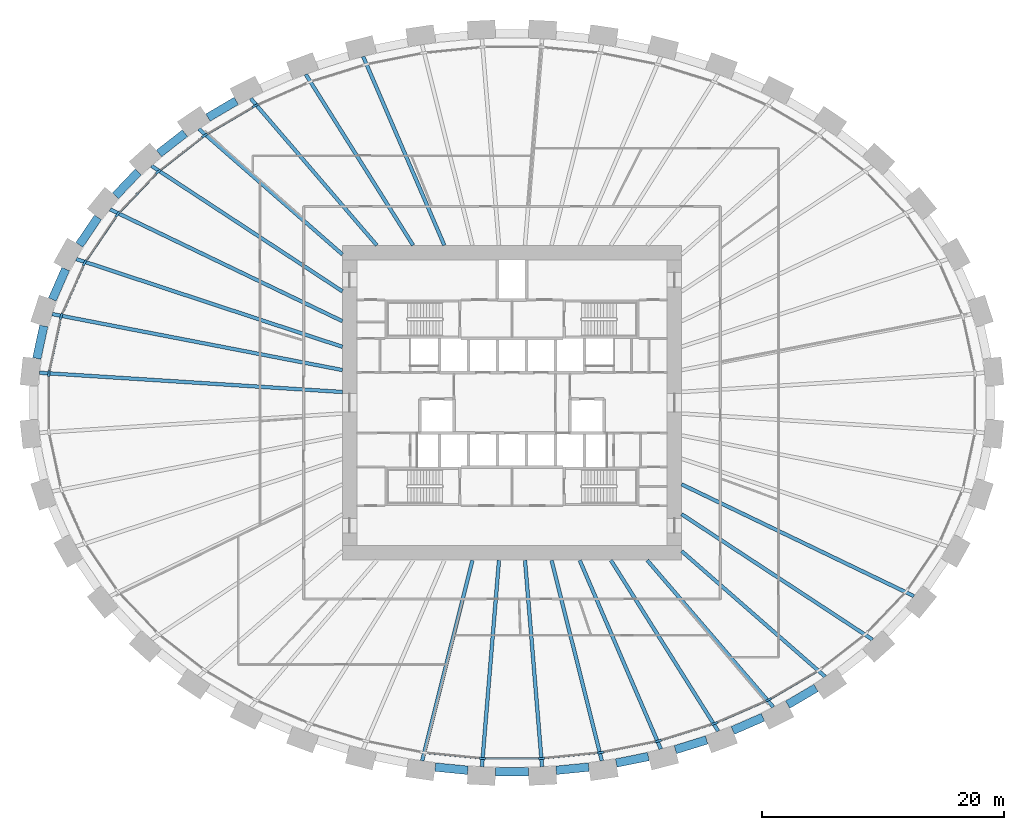
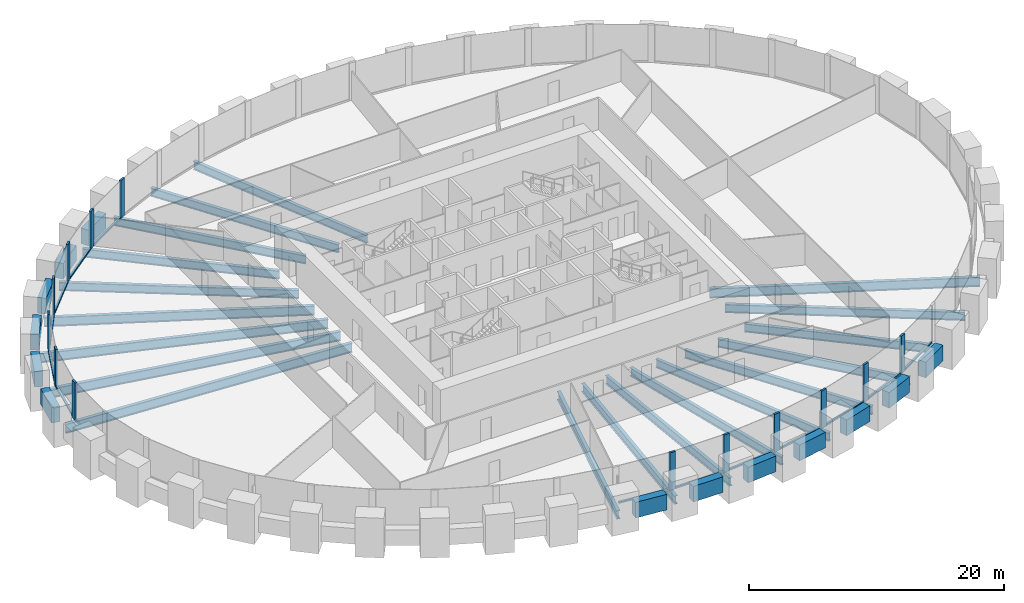
# One storey, part 2 of 10: 32 beams, 26 members, 1 element without a shape of its own.
"""IFC4 building model written with IfcOpenShell, lengths in metres."""

from ifc_helpers import new_model, si_unit, direction, frame, origin, origin_2d, place, context, subcontext, project, spatial, rectangle, i_section, extrude, source, transform, mapped, material, material_profile, profile_set, type_object, element, aggregate, save


model = new_model("IFC4")

# Units and contexts
model_context = context("Model", 3, precision=1e-05, world=origin(), true_north=direction((0.0, 1.0)))
body_context = subcontext(model_context, "Body", "Model", "MODEL_VIEW")
ifc_project = project(units=[si_unit("LENGTHUNIT", "METRE"), si_unit("AREAUNIT", "SQUARE_METRE"), si_unit("VOLUMEUNIT", "CUBIC_METRE"), si_unit("PLANEANGLEUNIT", "RADIAN"), si_unit("MASSUNIT", "GRAM", prefix="KILO")], contexts=[model_context])

# Site, building, storey
site_placement = place(None, origin())
site = spatial("IfcSite", under=ifc_project, at=site_placement, CompositionType="ELEMENT")
building_placement = place(site_placement, origin())
building = spatial("IfcBuilding", under=site, at=building_placement, Name="Embergate Tower", CompositionType="ELEMENT")
storey_placement = place(building_placement, frame((0.0, 0.0, 121.10009765625)))
storey = spatial("IfcBuildingStorey", under=building, at=storey_placement, Name="L26", CompositionType="ELEMENT", Elevation=121.10009765625)

# Beams
ifc_material_1 = material(Name="Concrete C70", Category="concrete")
ifc_material_profile_1 = material_profile(ifc_material_1, rectangle(XDim=0.699951171875, YDim=1.5, at=origin_2d()), Name="RC 700x1500")
ifc_profile_set_1 = profile_set([ifc_material_profile_1], Name="Concrete C70")
beam_type_1 = type_object("IfcBeamType", Name="Spandrel beam RC 700x1500 C70", PredefinedType="BEAM", material=ifc_profile_set_1)
shared_shape_1 = source(origin(), body_context, "Body", "SweptSolid", [
    extrude(rectangle(XDim=0.699951171875, YDim=1.5, at=origin_2d()), origin(), (0.0, 0.0, 1.0), 2.741455078125),
])
beam_1_placement = place(storey_placement, frame((-38.64794921875, 6.337890625, 0.0), z_axis=(-0.210532507107, -0.977586857241, 0.0), x_axis=(0.977586857241, -0.210532507107, 0.0)))
element("IfcBeam", 1, at=beam_1_placement, inside=storey, type_object=beam_type_1, Name="SPN-L26-20", PredefinedType="BEAM", context=body_context, shape_type="MappedRepresentation", body=[
    mapped(shared_shape_1, transform((0.0, 0.0, 0.0))),
])
shared_shape_2 = source(origin(), body_context, "Body", "SweptSolid", [
    extrude(rectangle(XDim=0.699951171875, YDim=1.5, at=origin_2d()), origin(), (0.0, 0.0, 1.0), 2.73779296875),
])
beam_2_placement = place(storey_placement, frame((-36.841064453125, 11.032958984375, 0.0), z_axis=(-0.401740219387, -0.915753676556, 0.0), x_axis=(0.915753676556, -0.401740219387, 0.0)))
element("IfcBeam", 2, at=beam_2_placement, inside=storey, type_object=beam_type_1, Name="SPN-L26-19", PredefinedType="BEAM", context=body_context, shape_type="MappedRepresentation", body=[
    mapped(shared_shape_2, transform((0.0, 0.0, 0.0))),
])
shared_shape_3 = source(origin(), body_context, "Body", "SweptSolid", [
    extrude(rectangle(XDim=0.699951171875, YDim=1.5, at=origin_2d()), origin(), (0.0, 0.0, 1.0), 2.727294921875),
])
beam_3_placement = place(storey_placement, frame((-34.176025390625, 15.291015625, 0.0), z_axis=(-0.562422644454, -0.826849907181, 0.0), x_axis=(0.826849907181, -0.562422644454, 0.0)))
element("IfcBeam", 3, at=beam_3_placement, inside=storey, type_object=beam_type_1, Name="SPN-L26-18", PredefinedType="BEAM", context=body_context, shape_type="MappedRepresentation", body=[
    mapped(shared_shape_3, transform((0.0, 0.0, 0.0))),
])
shared_shape_4 = source(origin(), body_context, "Body", "SweptSolid", [
    extrude(rectangle(XDim=0.699951171875, YDim=1.5, at=origin_2d()), origin(), (0.0, 0.0, 1.0), 2.720947265625),
])
beam_4_placement = place(storey_placement, frame((-30.85302734375, 19.050048828125, 0.0), z_axis=(-0.690174788546, -0.723642702759, 0.0), x_axis=(0.723642702759, -0.690174788546, 0.0)))
element("IfcBeam", 4, at=beam_4_placement, inside=storey, type_object=beam_type_1, Name="SPN-L26-17", PredefinedType="BEAM", context=body_context, shape_type="MappedRepresentation", body=[
    mapped(shared_shape_4, transform((0.0, 0.0, 0.0))),
])
shared_shape_5 = source(origin(), body_context, "Body", "SweptSolid", [
    extrude(rectangle(XDim=0.699951171875, YDim=1.5, at=origin_2d()), origin(), (0.0, 0.0, 1.0), 2.715087890625),
])
beam_5_placement = place(storey_placement, frame((-26.9951171875, 22.25, 0.0), z_axis=(-0.788183854673, -0.61543985184, 0.0), x_axis=(0.61543985184, -0.788183854673, 0.0)))
element("IfcBeam", 5, at=beam_5_placement, inside=storey, type_object=beam_type_1, Name="SPN-L26-16", PredefinedType="BEAM", context=body_context, shape_type="MappedRepresentation", body=[
    mapped(shared_shape_5, transform((0.0, 0.0, 0.0))),
])
shared_shape_6 = source(origin(), body_context, "Body", "SweptSolid", [
    extrude(rectangle(XDim=0.699951171875, YDim=1.5, at=origin_2d()), origin(), (0.0, 0.0, 1.0), 2.70947265625),
])
for number, where, z_axis, x_axis, name in (
    (6, (-22.757080078125, 24.916015625, 0.0), (-0.862100939268, -0.506736588884, 0.0), (0.506736588884, -0.862100939268, 0.0), "SPN-L26-15"),
    (7, (22.757080078125, -24.916015625, 0.0), (0.862100939268, 0.506736588884, 0.0), (-0.506736588884, 0.862100939268, 0.0), "SPN-L26-37"),
):
    element("IfcBeam", number, at=place(storey_placement, frame(where, z_axis=z_axis, x_axis=x_axis)), inside=storey, type_object=beam_type_1, Name=name, PredefinedType="BEAM", context=body_context, shape_type="MappedRepresentation", body=[
        mapped(shared_shape_6, transform((0.0, 0.0, 0.0))),
    ])
shared_shape_7 = source(origin(), body_context, "Body", "SweptSolid", [
    extrude(rectangle(XDim=0.699951171875, YDim=1.5, at=origin_2d()), origin(), (0.0, 0.0, 1.0), 2.70751953125),
])
beam_6_placement = place(storey_placement, frame((18.22705078125, -27.0458984375, 0.0), z_axis=(0.91635176707, 0.400374123774, 0.0), x_axis=(-0.400374123774, 0.91635176707, 0.0)))
element("IfcBeam", 8, at=beam_6_placement, inside=storey, type_object=beam_type_1, Name="SPN-L26-36", PredefinedType="BEAM", context=body_context, shape_type="MappedRepresentation", body=[
    mapped(shared_shape_7, transform((0.0, 0.0, 0.0))),
])
shared_shape_8 = source(origin(), body_context, "Body", "SweptSolid", [
    extrude(rectangle(XDim=0.699951171875, YDim=1.5, at=origin_2d()), origin(), (0.0, 0.0, 1.0), 2.701171875),
])
for number, where, z_axis, x_axis, name in (
    (9, (8.60888671875, -29.735107421875, 0.0), (0.980395998514, 0.197037270836, 0.0), (-0.197037270836, 0.980395998514, 0.0), "SPN-L26-34"),
    (10, (13.486083984375, -28.635009765625, 0.0), (0.954683993788, 0.297621356768, 0.0), (-0.297621356768, 0.954683993788, 0.0), "SPN-L26-35"),
):
    element("IfcBeam", number, at=place(storey_placement, frame(where, z_axis=z_axis, x_axis=x_axis)), inside=storey, type_object=beam_type_1, Name=name, PredefinedType="BEAM", context=body_context, shape_type="MappedRepresentation", body=[
        mapped(shared_shape_8, transform((0.0, 0.0, 0.0))),
    ])
shared_shape_9 = source(origin(), body_context, "Body", "SweptSolid", [
    extrude(rectangle(XDim=0.699951171875, YDim=1.5, at=origin_2d()), origin(), (0.0, 0.0, 1.0), 2.699951171875),
])
for number, where, z_axis, x_axis, name in (
    (11, (-6.333984375, -30.073974609375, 0.0), (0.995211120004, -0.097748793451, 0.0), (0.097748793451, 0.995211120004, 0.0), "SPN-L26-31"),
    (12, (3.64697265625, -30.337890625, 0.0), (0.995211120004, 0.097748793451, 0.0), (-0.097748793451, 0.995211120004, 0.0), "SPN-L26-33"),
):
    element("IfcBeam", number, at=place(storey_placement, frame(where, z_axis=z_axis, x_axis=x_axis)), inside=storey, type_object=beam_type_1, Name=name, PredefinedType="BEAM", context=body_context, shape_type="MappedRepresentation", body=[
        mapped(shared_shape_9, transform((0.0, 0.0, 0.0))),
    ])
shared_shape_10 = source(origin(), body_context, "Body", "SweptSolid", [
    extrude(rectangle(XDim=0.699951171875, YDim=1.5, at=origin_2d()), origin(), (0.0, 0.0, 1.0), 2.7001953125),
])
beam_7_placement = place(storey_placement, frame((-1.35009765625, -30.450927734375, 0.0), z_axis=(1.0, 0.0, 0.0), x_axis=(0.0, 1.0, 0.0)))
element("IfcBeam", 13, at=beam_7_placement, inside=storey, type_object=beam_type_1, Name="SPN-L26-32", PredefinedType="BEAM", context=body_context, shape_type="MappedRepresentation", body=[
    mapped(shared_shape_10, transform((0.0, 0.0, 0.0))),
])
ifc_material_2 = material(Name="Steel Q355B", Category="steel")
ifc_material_profile_2 = material_profile(ifc_material_2, i_section(OverallWidth=0.300048828125, OverallDepth=0.89990234375, WebThickness=0.01611328125, FlangeThickness=0.028076171875, FilletRadius=0.028076171875, at=origin_2d()), Name="HN 900x300x16x28")
ifc_profile_set_2 = profile_set([ifc_material_profile_2], Name="Steel Q355 grade B")
beam_type_2 = type_object("IfcBeamType", Name="Radial girder HN 900x300x16x28", PredefinedType="BEAM", material=ifc_profile_set_2)
shared_shape_11 = source(origin(), body_context, "Body", "SweptSolid", [
    extrude(i_section(OverallWidth=0.300048828125, OverallDepth=0.89990234375, WebThickness=0.01611328125, FlangeThickness=0.028076171875, FilletRadius=0.028076171875, at=origin_2d()), origin(), (0.0, 0.0, 1.0), 25.04833984375),
])
beam_8_placement = place(storey_placement, frame((-38.998046875, 2.47705078125, -0.650146484375), z_axis=(0.997988035397, -0.063402533111, 0.0), x_axis=(0.063402533111, 0.997988035397, 0.0)))
element("IfcBeam", 14, at=beam_8_placement, inside=storey, type_object=beam_type_2, Name="GIR-L26-21", PredefinedType="BEAM", context=body_context, shape_type="MappedRepresentation", body=[
    mapped(shared_shape_11, transform((0.0, 0.0, 0.0))),
])
shared_shape_12 = source(origin(), body_context, "Body", "SweptSolid", [
    extrude(i_section(OverallWidth=0.300048828125, OverallDepth=0.89990234375, WebThickness=0.01611328125, FlangeThickness=0.028076171875, FilletRadius=0.028076171875, at=origin_2d()), origin(), (0.0, 0.0, 1.0), 24.397705078125),
])
beam_9_placement = place(storey_placement, frame((-37.9560546875, 7.322021484375, -0.650146484375), z_axis=(0.981898654656, -0.18940705368, 0.0), x_axis=(0.18940705368, 0.981898654656, 0.0)))
element("IfcBeam", 15, at=beam_9_placement, inside=storey, type_object=beam_type_2, Name="GIR-L26-20", PredefinedType="BEAM", context=body_context, shape_type="MappedRepresentation", body=[
    mapped(shared_shape_12, transform((0.0, 0.0, 0.0))),
])
shared_shape_13 = source(origin(), body_context, "Body", "SweptSolid", [
    extrude(i_section(OverallWidth=0.300048828125, OverallDepth=0.89990234375, WebThickness=0.01611328125, FlangeThickness=0.028076171875, FilletRadius=0.028076171875, at=origin_2d()), origin(), (0.0, 0.0, 1.0), 23.12890625),
])
beam_10_placement = place(storey_placement, frame((-35.965087890625, 11.861083984375, -0.650146484375), z_axis=(0.949684454756, -0.313208295541, 0.0), x_axis=(0.313208295541, 0.949684454756, 0.0)))
element("IfcBeam", 16, at=beam_10_placement, inside=storey, type_object=beam_type_2, Name="GIR-L26-19", PredefinedType="BEAM", context=body_context, shape_type="MappedRepresentation", body=[
    mapped(shared_shape_13, transform((0.0, 0.0, 0.0))),
])
shared_shape_14 = source(origin(), body_context, "Body", "SweptSolid", [
    extrude(i_section(OverallWidth=0.300048828125, OverallDepth=0.89990234375, WebThickness=0.01611328125, FlangeThickness=0.028076171875, FilletRadius=0.028076171875, at=origin_2d()), origin(), (0.0, 0.0, 1.0), 21.28076171875),
])
for number, where, z_axis, x_axis, name in (
    (17, (-33.177001953125, 15.9609375, -0.650146484375), (0.901140134985, -0.433527919654, 0.0), (0.433527919654, 0.901140134985, 0.0), "GIR-L26-18"),
    (18, (33.177001953125, -15.9609375, -0.650146484375), (-0.901140134985, 0.433527919654, 0.0), (-0.433527919654, -0.901140134985, 0.0), "GIR-L26-40"),
):
    element("IfcBeam", number, at=place(storey_placement, frame(where, z_axis=z_axis, x_axis=x_axis)), inside=storey, type_object=beam_type_2, Name=name, PredefinedType="BEAM", context=body_context, shape_type="MappedRepresentation", body=[
        mapped(shared_shape_14, transform((0.0, 0.0, 0.0))),
    ])
ifc_material_profile_3 = material_profile(ifc_material_2, i_section(OverallWidth=0.300048828125, OverallDepth=0.800048828125, WebThickness=0.013916015625, FlangeThickness=0.02587890625, FilletRadius=0.028076171875, at=origin_2d()), Name="HN 800x300x14x26")
ifc_profile_set_3 = profile_set([ifc_material_profile_3], Name="Steel Q355 grade B")
beam_type_3 = type_object("IfcBeamType", Name="Radial girder HN 800x300x14x26", PredefinedType="BEAM", material=ifc_profile_set_3)
shared_shape_15 = source(origin(), body_context, "Body", "SweptSolid", [
    extrude(i_section(OverallWidth=0.300048828125, OverallDepth=0.800048828125, WebThickness=0.013916015625, FlangeThickness=0.02587890625, FilletRadius=0.028076171875, at=origin_2d()), origin(), (0.0, 0.0, 1.0), 18.8515625),
])
for number, where, z_axis, x_axis, name in (
    (19, (-29.7548828125, 19.550048828125, -0.60009765625), (0.835733668862, -0.549134987713, 0.0), (0.549134987713, 0.835733668862, 0.0), "GIR-L26-17"),
    (20, (29.7548828125, -19.550048828125, -0.60009765625), (-0.835733668862, 0.549134987713, 0.0), (-0.549134987713, -0.835733668862, 0.0), "GIR-L26-39"),
):
    element("IfcBeam", number, at=place(storey_placement, frame(where, z_axis=z_axis, x_axis=x_axis)), inside=storey, type_object=beam_type_3, Name=name, PredefinedType="BEAM", context=body_context, shape_type="MappedRepresentation", body=[
        mapped(shared_shape_15, transform((0.0, 0.0, 0.0))),
    ])
shared_shape_16 = source(origin(), body_context, "Body", "SweptSolid", [
    extrude(i_section(OverallWidth=0.300048828125, OverallDepth=0.800048828125, WebThickness=0.013916015625, FlangeThickness=0.02587890625, FilletRadius=0.028076171875, at=origin_2d()), origin(), (0.0, 0.0, 1.0), 15.73583984375),
])
for number, where, z_axis, x_axis, name in (
    (21, (-25.844970703125, 22.60205078125, -0.60009765625), (0.752741020376, -0.658316759807, 0.0), (0.658316759807, 0.752741020376, 0.0), "GIR-L26-16"),
    (22, (25.844970703125, -22.60205078125, -0.60009765625), (-0.752741020376, 0.658316759807, 0.0), (-0.658316759807, -0.752741020376, 0.0), "GIR-L26-38"),
):
    element("IfcBeam", number, at=place(storey_placement, frame(where, z_axis=z_axis, x_axis=x_axis)), inside=storey, type_object=beam_type_3, Name=name, PredefinedType="BEAM", context=body_context, shape_type="MappedRepresentation", body=[
        mapped(shared_shape_16, transform((0.0, 0.0, 0.0))),
    ])
shared_shape_17 = source(origin(), body_context, "Body", "SweptSolid", [
    extrude(i_section(OverallWidth=0.300048828125, OverallDepth=0.800048828125, WebThickness=0.013916015625, FlangeThickness=0.02587890625, FilletRadius=0.028076171875, at=origin_2d()), origin(), (0.0, 0.0, 1.0), 15.969970703125),
])
for number, where, z_axis, x_axis, name in (
    (23, (-21.568115234375, 25.115966796875, -0.60009765625), (0.651474728506, -0.758670335599, 0.0), (0.758670335599, 0.651474728506, 0.0), "GIR-L26-15"),
    (24, (21.568115234375, -25.115966796875, -0.60009765625), (-0.651474728506, 0.758670335599, 0.0), (-0.758670335599, -0.651474728506, 0.0), "GIR-L26-37"),
):
    element("IfcBeam", number, at=place(storey_placement, frame(where, z_axis=z_axis, x_axis=x_axis)), inside=storey, type_object=beam_type_3, Name=name, PredefinedType="BEAM", context=body_context, shape_type="MappedRepresentation", body=[
        mapped(shared_shape_17, transform((0.0, 0.0, 0.0))),
    ])
shared_shape_18 = source(origin(), body_context, "Body", "SweptSolid", [
    extrude(i_section(OverallWidth=0.300048828125, OverallDepth=0.800048828125, WebThickness=0.013916015625, FlangeThickness=0.02587890625, FilletRadius=0.028076171875, at=origin_2d()), origin(), (0.0, 0.0, 1.0), 16.65478515625),
])
for number, where, z_axis, x_axis, name in (
    (25, (-17.02197265625, 27.10400390625, -0.60009765625), (0.531850282952, -0.846838400478, 0.0), (0.846838400478, 0.531850282952, 0.0), "GIR-L26-14"),
    (26, (17.02197265625, -27.10400390625, -0.60009765625), (-0.531850282952, 0.846838400478, 0.0), (-0.846838400478, -0.531850282952, 0.0), "GIR-L26-36"),
):
    element("IfcBeam", number, at=place(storey_placement, frame(where, z_axis=z_axis, x_axis=x_axis)), inside=storey, type_object=beam_type_3, Name=name, PredefinedType="BEAM", context=body_context, shape_type="MappedRepresentation", body=[
        mapped(shared_shape_18, transform((0.0, 0.0, 0.0))),
    ])
shared_shape_19 = source(origin(), body_context, "Body", "SweptSolid", [
    extrude(i_section(OverallWidth=0.300048828125, OverallDepth=0.800048828125, WebThickness=0.013916015625, FlangeThickness=0.02587890625, FilletRadius=0.028076171875, at=origin_2d()), origin(), (0.0, 0.0, 1.0), 16.95751953125),
])
for number, where, z_axis, x_axis, name in (
    (27, (-12.284912109375, 28.5791015625, -0.60009765625), (0.394928600028, -0.918711816012, 0.0), (0.918711816012, 0.394928600028, 0.0), "GIR-L26-13"),
    (28, (12.284912109375, -28.5791015625, -0.60009765625), (-0.394928600028, 0.918711816012, 0.0), (-0.918711816012, -0.394928600028, 0.0), "GIR-L26-35"),
):
    element("IfcBeam", number, at=place(storey_placement, frame(where, z_axis=z_axis, x_axis=x_axis)), inside=storey, type_object=beam_type_3, Name=name, PredefinedType="BEAM", context=body_context, shape_type="MappedRepresentation", body=[
        mapped(shared_shape_19, transform((0.0, 0.0, 0.0))),
    ])
shared_shape_20 = source(origin(), body_context, "Body", "SweptSolid", [
    extrude(i_section(OverallWidth=0.300048828125, OverallDepth=0.800048828125, WebThickness=0.013916015625, FlangeThickness=0.02587890625, FilletRadius=0.028076171875, at=origin_2d()), origin(), (0.0, 0.0, 1.0), 17.068603515625),
])
for number, where, z_axis, x_axis, name in (
    (29, (-7.419921875, -29.554931640625, -0.60009765625), (0.243487950905, 0.969903921924, 0.0), (-0.969903921924, 0.243487950905, 0.0), "GIR-L26-31"),
    (30, (7.419921875, -29.554931640625, -0.60009765625), (-0.243487950905, 0.969903921924, 0.0), (-0.969903921924, -0.243487950905, 0.0), "GIR-L26-34"),
):
    element("IfcBeam", number, at=place(storey_placement, frame(where, z_axis=z_axis, x_axis=x_axis)), inside=storey, type_object=beam_type_3, Name=name, PredefinedType="BEAM", context=body_context, shape_type="MappedRepresentation", body=[
        mapped(shared_shape_20, transform((0.0, 0.0, 0.0))),
    ])
shared_shape_21 = source(origin(), body_context, "Body", "SweptSolid", [
    extrude(i_section(OverallWidth=0.300048828125, OverallDepth=0.800048828125, WebThickness=0.013916015625, FlangeThickness=0.02587890625, FilletRadius=0.028076171875, at=origin_2d()), origin(), (0.0, 0.0, 1.0), 17.09912109375),
])
for number, where, z_axis, x_axis, name in (
    (31, (-2.48095703125, -30.041015625, -0.60009765625), (0.082284484054, 0.996608882001, 0.0), (-0.996608882001, 0.082284484054, 0.0), "GIR-L26-32"),
    (32, (2.48095703125, -30.041015625, -0.60009765625), (-0.082284484054, 0.996608882001, 0.0), (-0.996608882001, -0.082284484054, 0.0), "GIR-L26-33"),
):
    element("IfcBeam", number, at=place(storey_placement, frame(where, z_axis=z_axis, x_axis=x_axis)), inside=storey, type_object=beam_type_3, Name=name, PredefinedType="BEAM", context=body_context, shape_type="MappedRepresentation", body=[
        mapped(shared_shape_21, transform((0.0, 0.0, 0.0))),
    ])

# Curtain wall, members
ifc_material_3 = material(Name="Aluminium and glass", Category="aluminium")
curtain_wall_type = type_object("IfcCurtainWallType", Name="Recessed office glazing", PredefinedType="NOTDEFINED", material=ifc_material_3)
curtain_wall_placement = place(storey_placement, origin())
curtain_wall = element("IfcCurtainWall", 33, at=curtain_wall_placement, inside=storey, type_object=curtain_wall_type, Name="Recessed office glazing ring", ObjectType="RECESSED OFFICE GLAZING", PredefinedType="USERDEFINED")
ifc_material_4 = material(Name="Aluminium, thermally broken", Category="aluminium")
ifc_material_profile_4 = material_profile(ifc_material_4, rectangle(XDim=0.179931640625, YDim=0.52001953125, at=origin_2d()), Name="AL 520x180")
ifc_profile_set_4 = profile_set([ifc_material_profile_4], Name="Aluminium, thermally broken")
member_type_1 = type_object("IfcMemberType", Name="Office mullion", PredefinedType="MULLION", material=ifc_profile_set_4)
shared_shape_22 = source(origin(), body_context, "Body", "SweptSolid", [
    extrude(rectangle(XDim=0.179931640625, YDim=0.52001953125, at=origin_2d()), origin(), (0.0, 0.0, 1.0), 3.599853515625),
])
member_1_placement = place(storey_placement, frame((-21.18017578125, 24.522216796875, 0.0), z_axis=(0.0, 0.0, 1.0), x_axis=(0.454511380526, -0.890740930334, 0.0)))
member_1 = element("IfcMember", 34, at=member_1_placement, type_object=member_type_1, Name="CW mullion 16", PredefinedType="MULLION", context=body_context, shape_type="MappedRepresentation", body=[
    mapped(shared_shape_22, transform((0.0, 0.0, 0.0))),
])
member_2_placement = place(storey_placement, frame((-25.373046875, 22.05712890625, 0.0), z_axis=(0.0, 0.0, 1.0), x_axis=(0.562217618544, -0.826989328467, 0.0)))
member_2 = element("IfcMember", 35, at=member_2_placement, type_object=member_type_1, Name="CW mullion 17", PredefinedType="MULLION", context=body_context, shape_type="MappedRepresentation", body=[
    mapped(shared_shape_22, transform((0.0, 0.0, 0.0))),
])
member_3_placement = place(storey_placement, frame((-29.202392578125, 19.068359375, 0.0), z_axis=(0.0, 0.0, 1.0), x_axis=(0.671227827685, -0.741251106806, 0.0)))
member_3 = element("IfcMember", 36, at=member_3_placement, type_object=member_type_1, Name="CW mullion 18", PredefinedType="MULLION", context=body_context, shape_type="MappedRepresentation", body=[
    mapped(shared_shape_22, transform((0.0, 0.0, 0.0))),
])
member_4_placement = place(storey_placement, frame((-32.5498046875, 15.558349609375, 0.0), z_axis=(0.0, 0.0, 1.0), x_axis=(0.777874757957, -0.628419335264, 0.0)))
member_4 = element("IfcMember", 37, at=member_4_placement, type_object=member_type_1, Name="CW mullion 19", PredefinedType="MULLION", context=body_context, shape_type="MappedRepresentation", body=[
    mapped(shared_shape_22, transform((0.0, 0.0, 0.0))),
])
member_5_placement = place(storey_placement, frame((-35.2724609375, 11.5546875, 0.0), z_axis=(0.0, 0.0, 1.0), x_axis=(0.875003585723, -0.484116437412, 0.0)))
member_5 = element("IfcMember", 38, at=member_5_placement, type_object=member_type_1, Name="CW mullion 20", PredefinedType="MULLION", context=body_context, shape_type="MappedRepresentation", body=[
    mapped(shared_shape_22, transform((0.0, 0.0, 0.0))),
])
member_6_placement = place(storey_placement, frame((-37.21337890625, 7.129150390625, 0.0), z_axis=(0.0, 0.0, 1.0), x_axis=(0.951498871907, -0.307652233471, 0.0)))
member_6 = element("IfcMember", 39, at=member_6_placement, type_object=member_type_1, Name="CW mullion 21", PredefinedType="MULLION", context=body_context, shape_type="MappedRepresentation", body=[
    mapped(shared_shape_22, transform((0.0, 0.0, 0.0))),
])
member_7_placement = place(storey_placement, frame((-38.228759765625, 2.41162109375, 0.0), z_axis=(0.0, 0.0, 1.0), x_axis=(0.994385139431, -0.105821521816, 0.0)))
member_7 = element("IfcMember", 40, at=member_7_placement, type_object=member_type_1, Name="CW mullion 22", PredefinedType="MULLION", context=body_context, shape_type="MappedRepresentation", body=[
    mapped(shared_shape_22, transform((0.0, 0.0, 0.0))),
])
member_8_placement = place(storey_placement, frame((-2.437744140625, -29.3564453125, 0.0), z_axis=(0.0, 0.0, 1.0), x_axis=(0.048971796621, 0.998800161762, 0.0)))
member_8 = element("IfcMember", 41, at=member_8_placement, type_object=member_type_1, Name="CW mullion 33", PredefinedType="MULLION", context=body_context, shape_type="MappedRepresentation", body=[
    mapped(shared_shape_22, transform((0.0, 0.0, 0.0))),
])
member_9_placement = place(storey_placement, frame((2.437744140625, -29.3564453125, 0.0), z_axis=(0.0, 0.0, 1.0), x_axis=(-0.048971796621, 0.998800161762, 0.0)))
member_9 = element("IfcMember", 42, at=member_9_placement, type_object=member_type_1, Name="CW mullion 34", PredefinedType="MULLION", context=body_context, shape_type="MappedRepresentation", body=[
    mapped(shared_shape_22, transform((0.0, 0.0, 0.0))),
])
member_10_placement = place(storey_placement, frame((7.28955078125, -28.879638671875, 0.0), z_axis=(0.0, 0.0, 1.0), x_axis=(-0.147412382818, 0.989075118174, 0.0)))
member_10 = element("IfcMember", 43, at=member_10_placement, type_object=member_type_1, Name="CW mullion 35", PredefinedType="MULLION", context=body_context, shape_type="MappedRepresentation", body=[
    mapped(shared_shape_22, transform((0.0, 0.0, 0.0))),
])
member_11_placement = place(storey_placement, frame((12.068359375, -27.921142578125, 0.0), z_axis=(0.0, 0.0, 1.0), x_axis=(-0.24731188137, 0.968935928394, 0.0)))
member_11 = element("IfcMember", 44, at=member_11_placement, type_object=member_type_1, Name="CW mullion 36", PredefinedType="MULLION", context=body_context, shape_type="MappedRepresentation", body=[
    mapped(shared_shape_22, transform((0.0, 0.0, 0.0))),
])
member_12_placement = place(storey_placement, frame((16.719482421875, -26.47265625, 0.0), z_axis=(0.0, 0.0, 1.0), x_axis=(-0.349502682851, 0.936935363128, 0.0)))
member_12 = element("IfcMember", 45, at=member_12_placement, type_object=member_type_1, Name="CW mullion 37", PredefinedType="MULLION", context=body_context, shape_type="MappedRepresentation", body=[
    mapped(shared_shape_22, transform((0.0, 0.0, 0.0))),
])
member_13_placement = place(storey_placement, frame((21.18017578125, -24.522216796875, 0.0), z_axis=(0.0, 0.0, 1.0), x_axis=(-0.454511380526, 0.890740930334, 0.0)))
member_13 = element("IfcMember", 46, at=member_13_placement, type_object=member_type_1, Name="CW mullion 38", PredefinedType="MULLION", context=body_context, shape_type="MappedRepresentation", body=[
    mapped(shared_shape_22, transform((0.0, 0.0, 0.0))),
])
ifc_material_profile_5 = material_profile(ifc_material_4, rectangle(XDim=0.179931640625, YDim=0.14990234375, at=origin_2d()), Name="AL 150x180")
ifc_profile_set_5 = profile_set([ifc_material_profile_5], Name="Aluminium, thermally broken")
member_type_2 = type_object("IfcMemberType", Name="Office sill transom", PredefinedType="USERDEFINED", material=ifc_profile_set_5)
shared_shape_23 = source(origin(), body_context, "Body", "SweptSolid", [
    extrude(rectangle(XDim=0.179931640625, YDim=0.14990234375, at=origin_2d()), origin(), (0.0, 0.0, 1.0), 4.305908203125),
])
member_14_placement = place(storey_placement, frame((-37.268310546875, 6.875, 0.074951171875), z_axis=(-0.210357665869, -0.977624494584, 0.0), x_axis=(0.977624494584, -0.210357665869, 0.0)))
member_14 = element("IfcMember", 47, at=member_14_placement, type_object=member_type_2, Name="CW transom 21.1", ObjectType="TRANSOM", PredefinedType="USERDEFINED", context=body_context, shape_type="MappedRepresentation", body=[
    mapped(shared_shape_23, transform((0.0, 0.0, 0.0))),
])
shared_shape_24 = source(origin(), body_context, "Body", "SweptSolid", [
    extrude(rectangle(XDim=0.179931640625, YDim=0.14990234375, at=origin_2d()), origin(), (0.0, 0.0, 1.0), 4.3125),
])
member_15_placement = place(storey_placement, frame((-35.376953125, 11.316650390625, 0.074951171875), z_axis=(-0.40160568605, -0.915812684413, 0.0), x_axis=(0.915812684413, -0.40160568605, 0.0)))
member_15 = element("IfcMember", 48, at=member_15_placement, type_object=member_type_2, Name="CW transom 20.1", ObjectType="TRANSOM", PredefinedType="USERDEFINED", context=body_context, shape_type="MappedRepresentation", body=[
    mapped(shared_shape_24, transform((0.0, 0.0, 0.0))),
])
shared_shape_25 = source(origin(), body_context, "Body", "SweptSolid", [
    extrude(rectangle(XDim=0.179931640625, YDim=0.14990234375, at=origin_2d()), origin(), (0.0, 0.0, 1.0), 4.321533203125),
])
member_16_placement = place(storey_placement, frame((-32.696044921875, 15.34326171875, 0.074951171875), z_axis=(-0.562342471098, -0.826904435349, 0.0), x_axis=(0.826904435349, -0.562342471098, 0.0)))
member_16 = element("IfcMember", 49, at=member_16_placement, type_object=member_type_2, Name="CW transom 19.1", ObjectType="TRANSOM", PredefinedType="USERDEFINED", context=body_context, shape_type="MappedRepresentation", body=[
    mapped(shared_shape_25, transform((0.0, 0.0, 0.0))),
])
shared_shape_26 = source(origin(), body_context, "Body", "SweptSolid", [
    extrude(rectangle(XDim=0.179931640625, YDim=0.14990234375, at=origin_2d()), origin(), (0.0, 0.0, 1.0), 4.330322265625),
])
member_17_placement = place(storey_placement, frame((-29.3818359375, 18.880126953125, 0.074951171875), z_axis=(-0.690135080162, -0.72368057258, 0.0), x_axis=(0.72368057258, -0.690135080162, 0.0)))
member_17 = element("IfcMember", 50, at=member_17_placement, type_object=member_type_2, Name="CW transom 18.1", ObjectType="TRANSOM", PredefinedType="USERDEFINED", context=body_context, shape_type="MappedRepresentation", body=[
    mapped(shared_shape_26, transform((0.0, 0.0, 0.0))),
])
shared_shape_27 = source(origin(), body_context, "Body", "SweptSolid", [
    extrude(rectangle(XDim=0.179931640625, YDim=0.14990234375, at=origin_2d()), origin(), (0.0, 0.0, 1.0), 4.337890625),
])
member_18_placement = place(storey_placement, frame((-25.577880859375, 21.897216796875, 0.074951171875), z_axis=(-0.788323772989, -0.615260618714, 0.0), x_axis=(0.615260618714, -0.788323772989, 0.0)))
member_18 = element("IfcMember", 51, at=member_18_placement, type_object=member_type_2, Name="CW transom 17.1", ObjectType="TRANSOM", PredefinedType="USERDEFINED", context=body_context, shape_type="MappedRepresentation", body=[
    mapped(shared_shape_27, transform((0.0, 0.0, 0.0))),
])
shared_shape_28 = source(origin(), body_context, "Body", "SweptSolid", [
    extrude(rectangle(XDim=0.179931640625, YDim=0.14990234375, at=origin_2d()), origin(), (0.0, 0.0, 1.0), 4.34375),
])
member_19_placement = place(storey_placement, frame((-21.404296875, 24.390380859375, 0.074951171875), z_axis=(-0.8620656673, -0.506796591605, 0.0), x_axis=(0.506796591605, -0.8620656673, 0.0)))
member_19 = element("IfcMember", 52, at=member_19_placement, type_object=member_type_2, Name="CW transom 16.1", ObjectType="TRANSOM", PredefinedType="USERDEFINED", context=body_context, shape_type="MappedRepresentation", body=[
    mapped(shared_shape_28, transform((0.0, 0.0, 0.0))),
])
member_20_placement = place(storey_placement, frame((21.404296875, -24.390380859375, 0.074951171875), z_axis=(0.8620656673, 0.506796591605, 0.0), x_axis=(-0.506796591605, 0.8620656673, 0.0)))
member_20 = element("IfcMember", 53, at=member_20_placement, type_object=member_type_2, Name="CW transom 38.1", ObjectType="TRANSOM", PredefinedType="USERDEFINED", context=body_context, shape_type="MappedRepresentation", body=[
    mapped(shared_shape_28, transform((0.0, 0.0, 0.0))),
])
shared_shape_29 = source(origin(), body_context, "Body", "SweptSolid", [
    extrude(rectangle(XDim=0.179931640625, YDim=0.14990234375, at=origin_2d()), origin(), (0.0, 0.0, 1.0), 4.348388671875),
])
member_21_placement = place(storey_placement, frame((16.957763671875, -26.368408203125, 0.074951171875), z_axis=(0.916230768266, 0.400650944442, 0.0), x_axis=(-0.400650944442, 0.916230768266, 0.0)))
member_21 = element("IfcMember", 54, at=member_21_placement, type_object=member_type_2, Name="CW transom 37.1", ObjectType="TRANSOM", PredefinedType="USERDEFINED", context=body_context, shape_type="MappedRepresentation", body=[
    mapped(shared_shape_29, transform((0.0, 0.0, 0.0))),
])
shared_shape_30 = source(origin(), body_context, "Body", "SweptSolid", [
    extrude(rectangle(XDim=0.179931640625, YDim=0.14990234375, at=origin_2d()), origin(), (0.0, 0.0, 1.0), 4.351806640625),
])
member_22_placement = place(storey_placement, frame((12.31640625, -27.843994140625, 0.074951171875), z_axis=(0.954758063246, 0.297383659044, 0.0), x_axis=(-0.297383659044, 0.954758063246, 0.0)))
member_22 = element("IfcMember", 55, at=member_22_placement, type_object=member_type_2, Name="CW transom 36.1", ObjectType="TRANSOM", PredefinedType="USERDEFINED", context=body_context, shape_type="MappedRepresentation", body=[
    mapped(shared_shape_30, transform((0.0, 0.0, 0.0))),
])
shared_shape_31 = source(origin(), body_context, "Body", "SweptSolid", [
    extrude(rectangle(XDim=0.179931640625, YDim=0.14990234375, at=origin_2d()), origin(), (0.0, 0.0, 1.0), 4.353759765625),
])
member_23_placement = place(storey_placement, frame((7.54443359375, -28.828369140625, 0.074951171875), z_axis=(0.98048350153, 0.196601381548, 0.0), x_axis=(-0.196601381548, 0.98048350153, 0.0)))
member_23 = element("IfcMember", 56, at=member_23_placement, type_object=member_type_2, Name="CW transom 35.1", ObjectType="TRANSOM", PredefinedType="USERDEFINED", context=body_context, shape_type="MappedRepresentation", body=[
    mapped(shared_shape_31, transform((0.0, 0.0, 0.0))),
])
shared_shape_32 = source(origin(), body_context, "Body", "SweptSolid", [
    extrude(rectangle(XDim=0.179931640625, YDim=0.14990234375, at=origin_2d()), origin(), (0.0, 0.0, 1.0), 4.355224609375),
])
member_24_placement = place(storey_placement, frame((-7.03076171875, -28.905029296875, 0.074951171875), z_axis=(0.995203944073, -0.097821826306, 0.0), x_axis=(0.097821826306, 0.995203944073, 0.0)))
member_24 = element("IfcMember", 57, at=member_24_placement, type_object=member_type_2, Name="CW transom 32.1", ObjectType="TRANSOM", PredefinedType="USERDEFINED", context=body_context, shape_type="MappedRepresentation", body=[
    mapped(shared_shape_32, transform((0.0, 0.0, 0.0))),
])
member_25_placement = place(storey_placement, frame((2.696533203125, -29.3310546875, 0.074951171875), z_axis=(0.995203944073, 0.097821826306, 0.0), x_axis=(-0.097821826306, 0.995203944073, 0.0)))
member_25 = element("IfcMember", 58, at=member_25_placement, type_object=member_type_2, Name="CW transom 34.1", ObjectType="TRANSOM", PredefinedType="USERDEFINED", context=body_context, shape_type="MappedRepresentation", body=[
    mapped(shared_shape_32, transform((0.0, 0.0, 0.0))),
])
shared_shape_33 = source(origin(), body_context, "Body", "SweptSolid", [
    extrude(rectangle(XDim=0.179931640625, YDim=0.14990234375, at=origin_2d()), origin(), (0.0, 0.0, 1.0), 4.35546875),
])
member_26_placement = place(storey_placement, frame((-2.177734375, -29.3564453125, 0.074951171875), z_axis=(1.0, 0.0, 0.0), x_axis=(0.0, 1.0, 0.0)))
member_26 = element("IfcMember", 59, at=member_26_placement, type_object=member_type_2, Name="CW transom 33.1", ObjectType="TRANSOM", PredefinedType="USERDEFINED", context=body_context, shape_type="MappedRepresentation", body=[
    mapped(shared_shape_33, transform((0.0, 0.0, 0.0))),
])
aggregate(curtain_wall, [member_1, member_2, member_3, member_4, member_5, member_6, member_7, member_8, member_9, member_10, member_11, member_12, member_13, member_19, member_18, member_17, member_16, member_15, member_14, member_24, member_26, member_25, member_23, member_22, member_21, member_20])

save(model, "model.ifc")
